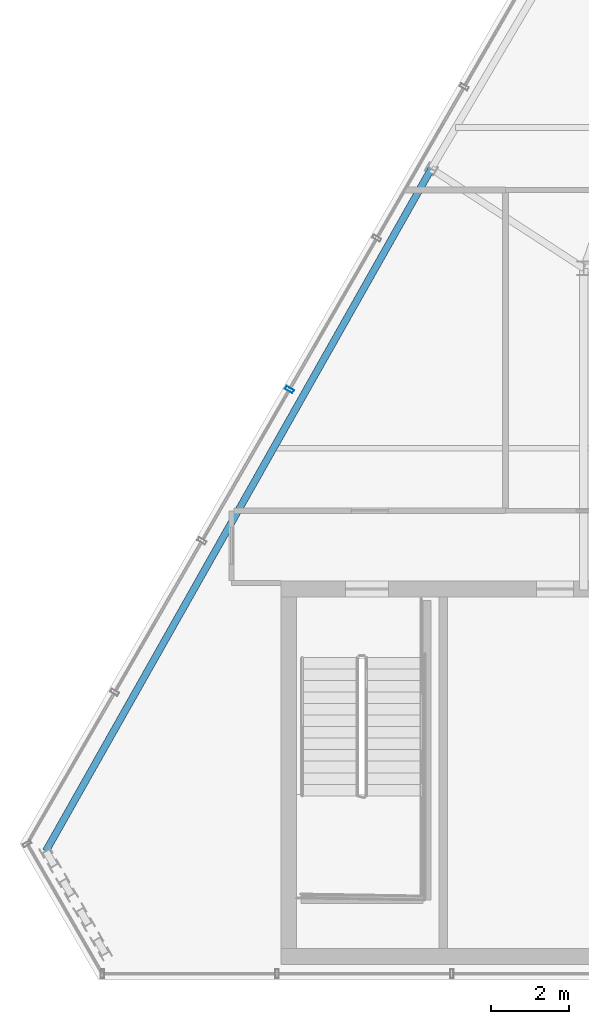
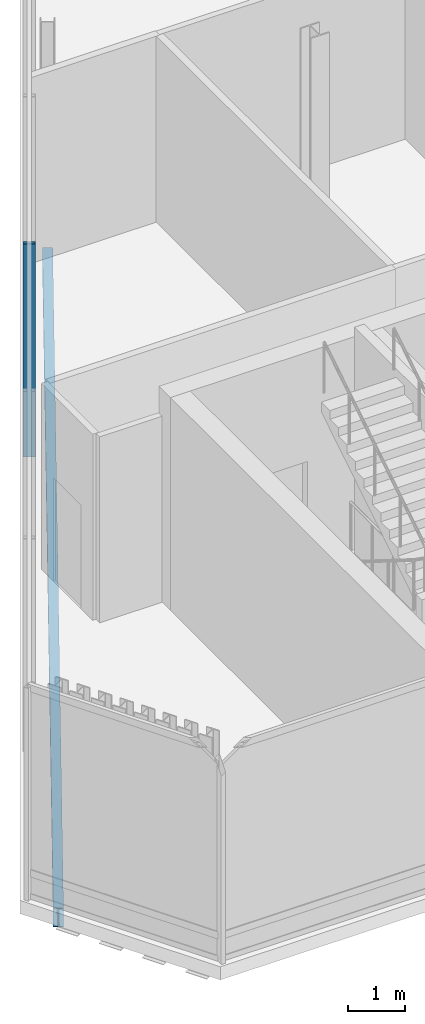
# One storey, part 4 of 25: 1 beam, 1 member, 1 element without a shape of its own.
"""IFC4 building model written with IfcOpenShell, lengths in metres."""

from ifc_helpers import new_model, si_unit, direction, frame, origin, origin_2d, place, context, subcontext, project, spatial, hollow_rectangle, i_section, extrude, material, layer, layer_set, material_profile, profile_set, type_object, element, aggregate, save


model = new_model("IFC4")

# Units and contexts
model_context = context("Model", 3, precision=1e-05, world=origin(), true_north=direction((0.0, 1.0)))
body_context = subcontext(model_context, "Body", "Model", "MODEL_VIEW")
ifc_project = project(units=[si_unit("LENGTHUNIT", "METRE"), si_unit("AREAUNIT", "SQUARE_METRE"), si_unit("VOLUMEUNIT", "CUBIC_METRE"), si_unit("PLANEANGLEUNIT", "RADIAN"), si_unit("MASSUNIT", "GRAM", prefix="KILO")], contexts=[model_context])

# Site, building, storey
site_placement = place(None, origin())
site = spatial("IfcSite", under=ifc_project, at=site_placement, CompositionType="ELEMENT")
building_placement = place(site_placement, origin())
building = spatial("IfcBuilding", under=site, at=building_placement, Name="Ndaravel Arena Tower", CompositionType="ELEMENT")
storey_placement = place(building_placement, frame((0.0, 0.0, 298.5)))
storey = spatial("IfcBuildingStorey", under=building, at=storey_placement, Name="L73", CompositionType="ELEMENT", Elevation=298.5)

# Beam
ifc_material_1 = material(Name="Steel S355", Category="steel")
ifc_material_profile_1 = material_profile(ifc_material_1, i_section(OverallWidth=0.179931640625, OverallDepth=0.39990234375, WebThickness=0.008544921875, FlangeThickness=0.013427734375, FilletRadius=0.02099609375, at=origin_2d()), Name="IPE 400")
ifc_profile_set_1 = profile_set([ifc_material_profile_1], Name="Steel S355")
beam_type = type_object("IfcBeamType", Name="BM-SPAN-IPE400", PredefinedType="SPANDREL", material=ifc_profile_set_1)
beam_placement = place(storey_placement, frame((30.2998046875, 25.745361328125, -0.47998046875), z_axis=(-0.491859734606, -0.870674452062, 0.0), x_axis=(0.870674452062, -0.491859734606, 0.0)))
element("IfcBeam", 1, at=beam_placement, inside=storey, type_object=beam_type, Name="L73 Perimeter Spandrel Beam SP-19", PredefinedType="SPANDREL", context=body_context, shape_type="SweptSolid", body=[
    extrude(i_section(OverallWidth=0.179931640625, OverallDepth=0.39990234375, WebThickness=0.008544921875, FlangeThickness=0.013427734375, FilletRadius=0.02099609375, at=origin_2d()), origin(), (0.0, 0.0, 1.0), 20.03955078125),
])

# Curtain wall, member
ifc_material_2 = material(Name="Aluminium", Category="aluminium")
ifc_layer = layer(ifc_material_2, 0.179931640625)
ifc_layer_set = layer_set([ifc_layer], Name="Aluminium")
curtain_wall_type = type_object("IfcCurtainWallType", Name="CW-SYS-04", PredefinedType="NOTDEFINED", material=ifc_layer_set)
curtain_wall_placement = place(storey_placement, origin())
curtain_wall = element("IfcCurtainWall", 2, at=curtain_wall_placement, inside=storey, type_object=curtain_wall_type, Name="L73 Faceted Crystal Curtain Wall CW-L73-E05", PredefinedType="NOTDEFINED")
ifc_material_3 = material(Name="Aluminium", Category="aluminium")
ifc_material_profile_2 = material_profile(ifc_material_3, hollow_rectangle(XDim=0.090087890625, YDim=0.219970703125, WallThickness=0.0048828125, at=origin_2d()), Name="CW MULLION 90x220x5")
ifc_profile_set_2 = profile_set([ifc_material_profile_2], Name="Aluminium")
member_type = type_object("IfcMemberType", Name="MEM-CW-MUL220", PredefinedType="MULLION", material=ifc_profile_set_2)
member_placement = place(storey_placement, frame((26.670166015625, 20.0986328125, 0.0), z_axis=(0.0, 0.0, 1.0), x_axis=(-0.5, -0.866025403784, 0.0)))
member = element("IfcMember", 3, at=member_placement, type_object=member_type, Name="CW-L73-E05 Mullion 06", PredefinedType="MULLION", context=body_context, shape_type="SweptSolid", body=[
    extrude(hollow_rectangle(XDim=0.090087890625, YDim=0.219970703125, WallThickness=0.0048828125, at=origin_2d()), origin(), (0.0, 0.0, 1.0), 4.52001953125),
])
aggregate(curtain_wall, [member])

save(model, "model.ifc")
